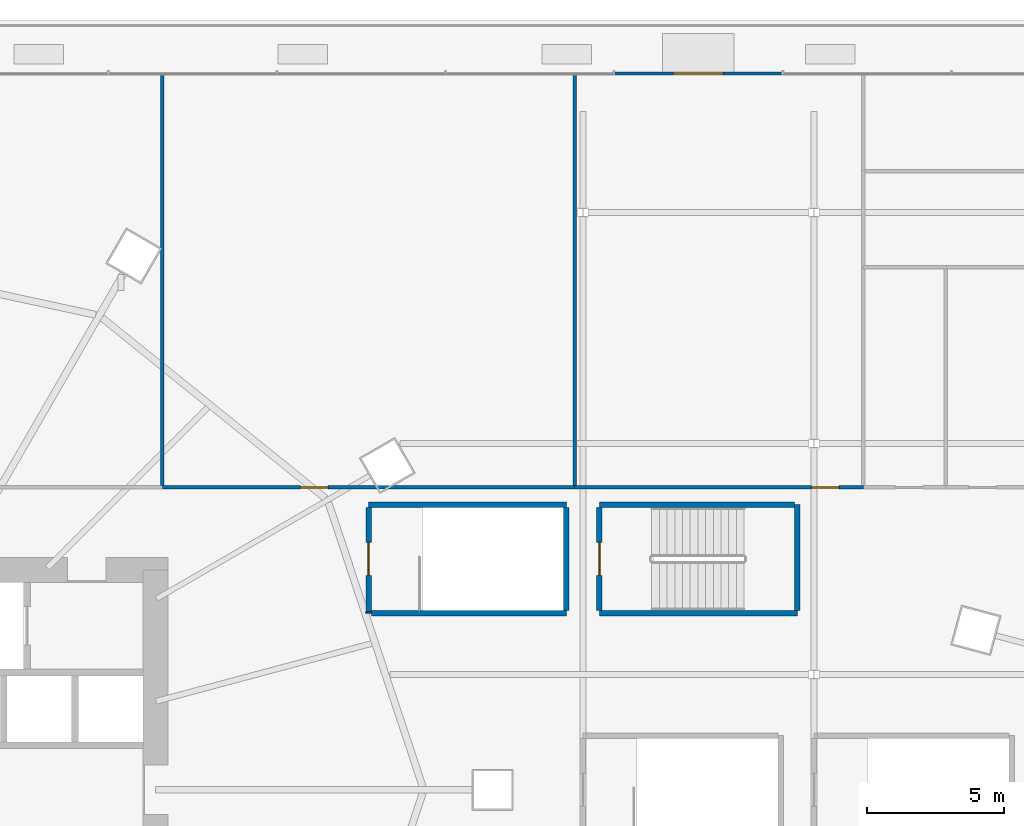
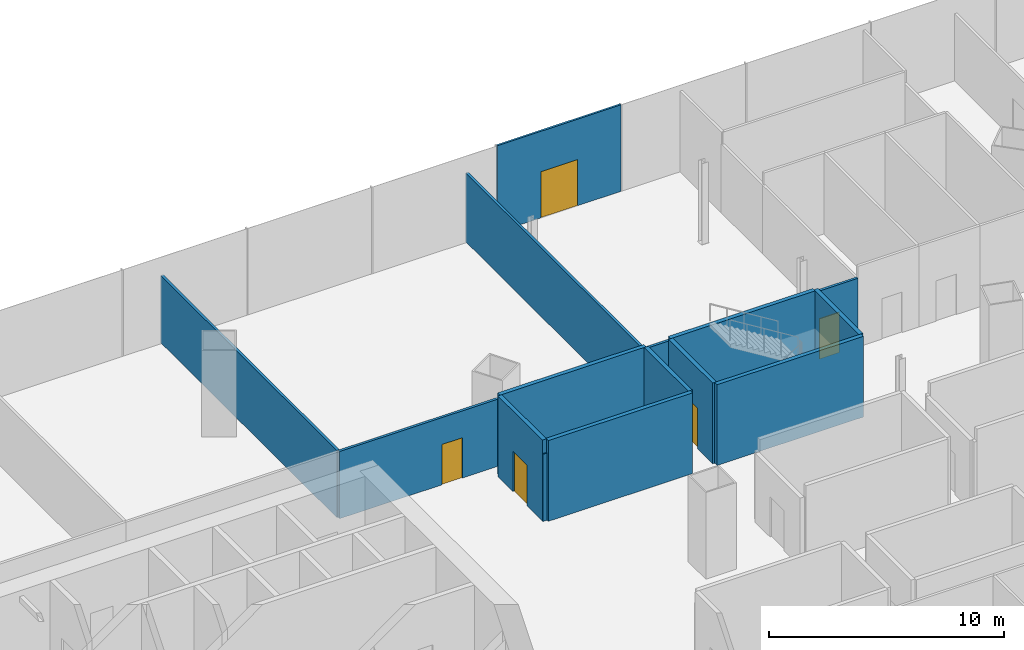
# One storey, part 35 of 49: 14 walls, 5 doors, 5 openings.
"""IFC4 building model written with IfcOpenShell, lengths in metres."""

from ifc_helpers import new_model, si_unit, direction, frame, frame_2d, origin, place, context, subcontext, project, spatial, rectangle, extrude, material, layer, layer_set, type_object, element, fill, save


model = new_model("IFC4")

# Units and contexts
model_context = context("Model", 3, precision=1e-05, world=origin(), true_north=direction((0.0, 1.0)))
body_context = subcontext(model_context, "Body", "Model", "MODEL_VIEW")
ifc_project = project(units=[si_unit("LENGTHUNIT", "METRE"), si_unit("AREAUNIT", "SQUARE_METRE"), si_unit("VOLUMEUNIT", "CUBIC_METRE"), si_unit("PLANEANGLEUNIT", "RADIAN"), si_unit("MASSUNIT", "GRAM", prefix="KILO")], contexts=[model_context])

# Site, building, storey
site_placement = place(None, origin())
site = spatial("IfcSite", under=ifc_project, at=site_placement, CompositionType="ELEMENT")
building_placement = place(site_placement, origin())
building = spatial("IfcBuilding", under=site, at=building_placement, Name="Rimbun Link Towers", CompositionType="ELEMENT")
storey_placement = place(building_placement, frame((0.0, 0.0, 25.5)))
storey = spatial("IfcBuildingStorey", under=building, at=storey_placement, Name="L05", CompositionType="ELEMENT", Elevation=25.5)

# Wall, opening, door
ifc_material_1 = material(Name="Aluminium framed insulated infill panel", Category="aluminium")
ifc_layer_1 = layer(ifc_material_1, 0.10009765625)
ifc_layer_set_1 = layer_set([ifc_layer_1], Name="ED framed infill wall 100")
wall_type_1 = type_object("IfcWallType", Name="ED framed infill wall 100", PredefinedType="STANDARD", material=ifc_layer_set_1)
wall_1_placement = place(storey_placement, frame((-3.046630859375, 26.050048828125, 0.0), z_axis=(0.0, 0.0, 1.0), x_axis=(1.0, 0.0, 0.0)))
wall_1 = element("IfcWall", 1, at=wall_1_placement, inside=storey, type_object=wall_type_1, Name="Framed door bay wall", PredefinedType="STANDARD", context=body_context, shape_type="SweptSolid", body=[
    extrude(rectangle(XDim=6.09326171875, YDim=0.10009765625, at=frame_2d((3.046630859375, 0.0))), origin(), (0.0, 0.0, 1.0), 4.5),
])
opening_1_placement = place(wall_1_placement, frame((2.146728515625, 0.0, 0.0)))
opening_1 = element("IfcOpeningElement", 2, at=opening_1_placement, cuts=wall_1, Name="Opening ED45", PredefinedType="OPENING", context=body_context, shape_type="SweptSolid", body=[
    extrude(rectangle(XDim=1.800048828125, YDim=2.39990234375, at=frame_2d((0.89990234375, 1.199951171875))), frame((0.0, 0.06005859375, 0.0), z_axis=(0.0, -1.0, 0.0), x_axis=(1.0, 0.0, 0.0)), (0.0, 0.0, 1.0), 0.1201171875),
])
ifc_material_2 = material(Name="Aluminium framed glazed door, low-iron glass", Category="aluminium")
door_type_1 = type_object("IfcDoorType", Name="ED terrace door double leaf 1800X2400", OperationType="DOUBLE_DOOR_SINGLE_SWING", PredefinedType="DOOR", material=ifc_material_2)
door_1_placement = place(opening_1_placement, origin())
door_1 = element("IfcDoor", 3, at=door_1_placement, inside=storey, type_object=door_type_1, Name="Terrace door", OperationType="SINGLE_SWING_LEFT", OverallHeight=2.39990234375, OverallWidth=1.800048828125, PredefinedType="DOOR", context=body_context, shape_type="SweptSolid", body=[
    extrude(rectangle(XDim=1.800048828125, YDim=2.39990234375, at=frame_2d((0.89990234375, 1.199951171875))), frame((0.0, 0.02490234375, 0.0), z_axis=(0.0, -1.0, 0.0), x_axis=(1.0, 0.0, 0.0)), (0.0, 0.0, 1.0), 0.050048828125),
])
fill(opening_1, door_1)

ifc_material_3 = material(Name="Gypsum board on steel studs", Category="steel")
ifc_layer_2 = layer(ifc_material_3, 0.125)
ifc_layer_set_2 = layer_set([ifc_layer_2], Name="Partition 125 board on studs")
wall_type_2 = type_object("IfcWallType", Name="Partition 125 board on studs", PredefinedType="PARTITIONING", material=ifc_layer_set_2)
wall_2_placement = place(storey_placement, frame((-4.5, 11.0, 0.0), z_axis=(0.0, 0.0, 1.0), x_axis=(-1.0, 0.0, 0.0)))
wall_2 = element("IfcWall", 4, at=wall_2_placement, inside=storey, type_object=wall_type_2, Name="PD/PW/L05/041", PredefinedType="PARTITIONING", context=body_context, shape_type="SweptSolid", body=[
    extrude(rectangle(XDim=15.0, YDim=0.125, at=frame_2d((7.5, 0.0))), origin(), (0.0, 0.0, 1.0), 3.49609375),
])
opening_2_placement = place(wall_2_placement, frame((8.965087890625, 0.0, 0.0)))
opening_2 = element("IfcOpeningElement", 5, at=opening_2_placement, cuts=wall_2, Name="Opening PD D05.19", PredefinedType="OPENING", context=body_context, shape_type="SweptSolid", body=[
    extrude(rectangle(XDim=1.0, YDim=2.10009765625, at=frame_2d((0.5, 1.050048828125))), frame((0.0, 0.072509765625, 0.0), z_axis=(0.0, -1.0, 0.0), x_axis=(1.0, 0.0, 0.0)), (0.0, 0.0, 1.0), 0.14501953125),
])
ifc_material_4 = material(Name="Timber door set", Category="wood")
door_type_2 = type_object("IfcDoorType", Name="Door single leaf 1000 x 2100", OperationType="NOTDEFINED", PredefinedType="DOOR", material=ifc_material_4)
door_2_placement = place(opening_2_placement, origin())
door_2 = element("IfcDoor", 6, at=door_2_placement, inside=storey, type_object=door_type_2, Name="PD/DR/L05/019", OperationType="SINGLE_SWING_RIGHT", OverallHeight=2.10009765625, OverallWidth=1.0, PredefinedType="DOOR", context=body_context, shape_type="SweptSolid", body=[
    extrude(rectangle(XDim=1.0, YDim=2.10009765625, at=frame_2d((0.5, 1.050048828125))), frame((0.0, 0.02490234375, 0.0), z_axis=(0.0, -1.0, 0.0), x_axis=(1.0, 0.0, 0.0)), (0.0, 0.0, 1.0), 0.050048828125),
])
fill(opening_2, door_2)

wall_3_placement = place(storey_placement, frame((6.0, 11.0, 0.0), z_axis=(0.0, 0.0, 1.0), x_axis=(-1.0, 0.0, 0.0)))
wall_3 = element("IfcWall", 7, at=wall_3_placement, inside=storey, type_object=wall_type_2, Name="PD/PW/L05/042", PredefinedType="PARTITIONING", context=body_context, shape_type="SweptSolid", body=[
    extrude(rectangle(XDim=10.5, YDim=0.125, at=frame_2d((5.25, 0.0))), origin(), (0.0, 0.0, 1.0), 3.576904296875),
])
opening_3_placement = place(wall_3_placement, frame((0.8798828125, 0.0, 0.0)))
opening_3 = element("IfcOpeningElement", 8, at=opening_3_placement, cuts=wall_3, Name="Opening PD D05.20", PredefinedType="OPENING", context=body_context, shape_type="SweptSolid", body=[
    extrude(rectangle(XDim=1.0, YDim=2.10009765625, at=frame_2d((0.5, 1.050048828125))), frame((0.0, 0.072509765625, 0.0), z_axis=(0.0, -1.0, 0.0), x_axis=(1.0, 0.0, 0.0)), (0.0, 0.0, 1.0), 0.14501953125),
])
door_3_placement = place(opening_3_placement, origin())
door_3 = element("IfcDoor", 9, at=door_3_placement, inside=storey, type_object=door_type_2, Name="PD/DR/L05/020", OperationType="SINGLE_SWING_LEFT", OverallHeight=2.10009765625, OverallWidth=1.0, PredefinedType="DOOR", context=body_context, shape_type="SweptSolid", body=[
    extrude(rectangle(XDim=1.0, YDim=2.10009765625, at=frame_2d((0.5, 1.050048828125))), frame((0.0, 0.02490234375, 0.0), z_axis=(0.0, -1.0, 0.0), x_axis=(1.0, 0.0, 0.0)), (0.0, 0.0, 1.0), 0.050048828125),
])
fill(opening_3, door_3)

# Walls
wall_4_placement = place(storey_placement, frame((-19.5, 11.0625, 0.0), z_axis=(0.0, 0.0, 1.0), x_axis=(0.0, 1.0, 0.0)))
element("IfcWall", 10, at=wall_4_placement, inside=storey, type_object=wall_type_2, Name="PD/PW/L05/070", PredefinedType="PARTITIONING", context=body_context, shape_type="SweptSolid", body=[
    extrude(rectangle(XDim=15.017578125, YDim=0.125, at=frame_2d((7.5087890625, 0.0))), origin(), (0.0, 0.0, 1.0), 3.49609375),
])
wall_5_placement = place(storey_placement, frame((-4.5, 11.0625, 0.0), z_axis=(0.0, 0.0, 1.0), x_axis=(0.0, 1.0, 0.0)))
element("IfcWall", 11, at=wall_5_placement, inside=storey, type_object=wall_type_2, Name="PD/PW/L05/071", PredefinedType="PARTITIONING", context=body_context, shape_type="SweptSolid", body=[
    extrude(rectangle(XDim=15.017578125, YDim=0.125, at=frame_2d((7.5087890625, 0.0))), origin(), (0.0, 0.0, 1.0), 3.576904296875),
])
ifc_material_5 = material(Name="Concrete C40/50", Category="concrete")
ifc_layer_3 = layer(ifc_material_5, 0.199951171875)
ifc_layer_set_3 = layer_set([ifc_layer_3], Name="Stair shaft wall 200")
wall_type_3 = type_object("IfcWallType", Name="Stair shaft wall 200", PredefinedType="SOLIDWALL", material=ifc_layer_set_3)
wall_6_placement = place(storey_placement, frame((-4.800048828125, 10.375, 0.0), z_axis=(0.0, 0.0, 1.0), x_axis=(-1.0, 0.0, 0.0)))
element("IfcWall", 12, at=wall_6_placement, inside=storey, type_object=wall_type_3, Name="PD/PW/L05/009", PredefinedType="SOLIDWALL", context=body_context, shape_type="SweptSolid", body=[
    extrude(rectangle(XDim=7.199951171875, YDim=0.199951171875, at=frame_2d((3.60009765625, 0.0))), origin(), (0.0, 0.0, 1.0), 4.199951171875),
])

# Wall, opening, door
wall_7_placement = place(storey_placement, frame((-12.0, 10.27490234375, 0.0), z_axis=(0.0, 0.0, 1.0), x_axis=(0.0, -1.0, 0.0)))
wall_7 = element("IfcWall", 13, at=wall_7_placement, inside=storey, type_object=wall_type_3, Name="PD/PW/L05/010", PredefinedType="SOLIDWALL", context=body_context, shape_type="SweptSolid", body=[
    extrude(rectangle(XDim=3.794677734375, YDim=0.199951171875, at=frame_2d((1.8974609375, 0.0))), origin(), (0.0, 0.0, 1.0), 4.199951171875),
])
opening_4_placement = place(wall_7_placement, frame((1.27490234375, 0.0, 0.0)))
opening_4 = element("IfcOpeningElement", 14, at=opening_4_placement, cuts=wall_7, Name="Opening PD DS3", PredefinedType="OPENING", context=body_context, shape_type="SweptSolid", body=[
    extrude(rectangle(XDim=1.199951171875, YDim=2.10009765625, at=frame_2d((0.60009765625, 1.050048828125))), frame((0.0, 0.10986328125, 0.0), z_axis=(0.0, -1.0, 0.0), x_axis=(1.0, 0.0, 0.0)), (0.0, 0.0, 1.0), 0.219970703125),
])
ifc_material_6 = material(Name="Steel fire door set", Category="steel")
door_type_3 = type_object("IfcDoorType", Name="Stair door", OperationType="SINGLE_SWING_LEFT", PredefinedType="DOOR", material=ifc_material_6)
door_4_placement = place(opening_4_placement, frame((1.199951171875, 0.0, 0.0), z_axis=(0.0, 0.0, 1.0), x_axis=(-1.0, 0.0, 0.0)))
door_4 = element("IfcDoor", 15, at=door_4_placement, inside=storey, type_object=door_type_3, Name="PD/DR/L05/S3", OperationType="SINGLE_SWING_LEFT", OverallHeight=2.10009765625, OverallWidth=1.199951171875, PredefinedType="DOOR", context=body_context, shape_type="SweptSolid", body=[
    extrude(rectangle(XDim=1.199951171875, YDim=2.10009765625, at=frame_2d((0.60009765625, 1.050048828125))), frame((0.0, 0.02490234375, 0.0), z_axis=(0.0, -1.0, 0.0), x_axis=(1.0, 0.0, 0.0)), (0.0, 0.0, 1.0), 0.050048828125),
])
fill(opening_4, door_4)

# Walls
wall_8_placement = place(storey_placement, frame((-12.0, 6.480224609375, 0.0), z_axis=(0.0, 0.0, 1.0), x_axis=(0.0, -1.0, 0.0)))
element("IfcWall", 16, at=wall_8_placement, inside=storey, type_object=wall_type_3, Name="PD/PW/L05/010b", PredefinedType="SOLIDWALL", context=body_context, shape_type="SweptSolid", body=[
    extrude(rectangle(XDim=0.05517578125, YDim=0.199951171875, at=frame_2d((0.027587890625, 0.0))), origin(), (0.0, 0.0, 1.0), 3.49609375),
])
wall_9_placement = place(storey_placement, frame((-11.89990234375, 6.425048828125, 0.0), z_axis=(0.0, 0.0, 1.0), x_axis=(1.0, 0.0, 0.0)))
element("IfcWall", 17, at=wall_9_placement, inside=storey, type_object=wall_type_3, Name="PD/PW/L05/011", PredefinedType="SOLIDWALL", context=body_context, shape_type="SweptSolid", body=[
    extrude(rectangle(XDim=7.099853515625, YDim=0.199951171875, at=frame_2d((3.5498046875, 0.0))), origin(), (0.0, 0.0, 1.0), 4.199951171875),
])
wall_10_placement = place(storey_placement, frame((-4.800048828125, 6.52490234375, 0.0), z_axis=(0.0, 0.0, 1.0), x_axis=(0.0, 1.0, 0.0)))
element("IfcWall", 18, at=wall_10_placement, inside=storey, type_object=wall_type_3, Name="PD/PW/L05/012", PredefinedType="SOLIDWALL", context=body_context, shape_type="SweptSolid", body=[
    extrude(rectangle(XDim=3.75, YDim=0.199951171875, at=frame_2d((1.875, 0.0))), origin(), (0.0, 0.0, 1.0), 4.199951171875),
])
wall_11_placement = place(storey_placement, frame((-3.60009765625, 6.425048828125, 0.0), z_axis=(0.0, 0.0, 1.0), x_axis=(1.0, 0.0, 0.0)))
element("IfcWall", 19, at=wall_11_placement, inside=storey, type_object=wall_type_3, Name="PD/PW/L05/013", PredefinedType="SOLIDWALL", context=body_context, shape_type="SweptSolid", body=[
    extrude(rectangle(XDim=7.2001953125, YDim=0.199951171875, at=frame_2d((3.60009765625, 0.0))), origin(), (0.0, 0.0, 1.0), 4.199951171875),
])
wall_12_placement = place(storey_placement, frame((3.60009765625, 6.52490234375, 0.0), z_axis=(0.0, 0.0, 1.0), x_axis=(0.0, 1.0, 0.0)))
element("IfcWall", 20, at=wall_12_placement, inside=storey, type_object=wall_type_3, Name="PD/PW/L05/014", PredefinedType="SOLIDWALL", context=body_context, shape_type="SweptSolid", body=[
    extrude(rectangle(XDim=3.85009765625, YDim=0.199951171875, at=frame_2d((1.925048828125, 0.0))), origin(), (0.0, 0.0, 1.0), 4.199951171875),
])
wall_13_placement = place(storey_placement, frame((3.5, 10.375, 0.0), z_axis=(0.0, 0.0, 1.0), x_axis=(-1.0, 0.0, 0.0)))
element("IfcWall", 21, at=wall_13_placement, inside=storey, type_object=wall_type_3, Name="PD/PW/L05/015", PredefinedType="SOLIDWALL", context=body_context, shape_type="SweptSolid", body=[
    extrude(rectangle(XDim=7.10009765625, YDim=0.199951171875, at=frame_2d((3.550048828125, 0.0))), origin(), (0.0, 0.0, 1.0), 4.199951171875),
])

# Wall, opening, door
wall_14_placement = place(storey_placement, frame((-3.60009765625, 10.27490234375, 0.0), z_axis=(0.0, 0.0, 1.0), x_axis=(0.0, -1.0, 0.0)))
wall_14 = element("IfcWall", 22, at=wall_14_placement, inside=storey, type_object=wall_type_3, Name="PD/PW/L05/016", PredefinedType="SOLIDWALL", context=body_context, shape_type="SweptSolid", body=[
    extrude(rectangle(XDim=3.75, YDim=0.199951171875, at=frame_2d((1.875, 0.0))), origin(), (0.0, 0.0, 1.0), 4.199951171875),
])
opening_5_placement = place(wall_14_placement, frame((1.27490234375, 0.0, 0.0)))
opening_5 = element("IfcOpeningElement", 23, at=opening_5_placement, cuts=wall_14, Name="Opening PD DS4", PredefinedType="OPENING", context=body_context, shape_type="SweptSolid", body=[
    extrude(rectangle(XDim=1.199951171875, YDim=2.10009765625, at=frame_2d((0.60009765625, 1.050048828125))), frame((0.0, 0.10986328125, 0.0), z_axis=(0.0, -1.0, 0.0), x_axis=(1.0, 0.0, 0.0)), (0.0, 0.0, 1.0), 0.219970703125),
])
door_5_placement = place(opening_5_placement, frame((1.199951171875, 0.0, 0.0), z_axis=(0.0, 0.0, 1.0), x_axis=(-1.0, 0.0, 0.0)))
door_5 = element("IfcDoor", 24, at=door_5_placement, inside=storey, type_object=door_type_3, Name="PD/DR/L05/S4", OperationType="SINGLE_SWING_LEFT", OverallHeight=2.10009765625, OverallWidth=1.199951171875, PredefinedType="DOOR", context=body_context, shape_type="SweptSolid", body=[
    extrude(rectangle(XDim=1.199951171875, YDim=2.10009765625, at=frame_2d((0.60009765625, 1.050048828125))), frame((0.0, 0.02490234375, 0.0), z_axis=(0.0, -1.0, 0.0), x_axis=(1.0, 0.0, 0.0)), (0.0, 0.0, 1.0), 0.050048828125),
])
fill(opening_5, door_5)

save(model, "model.ifc")
